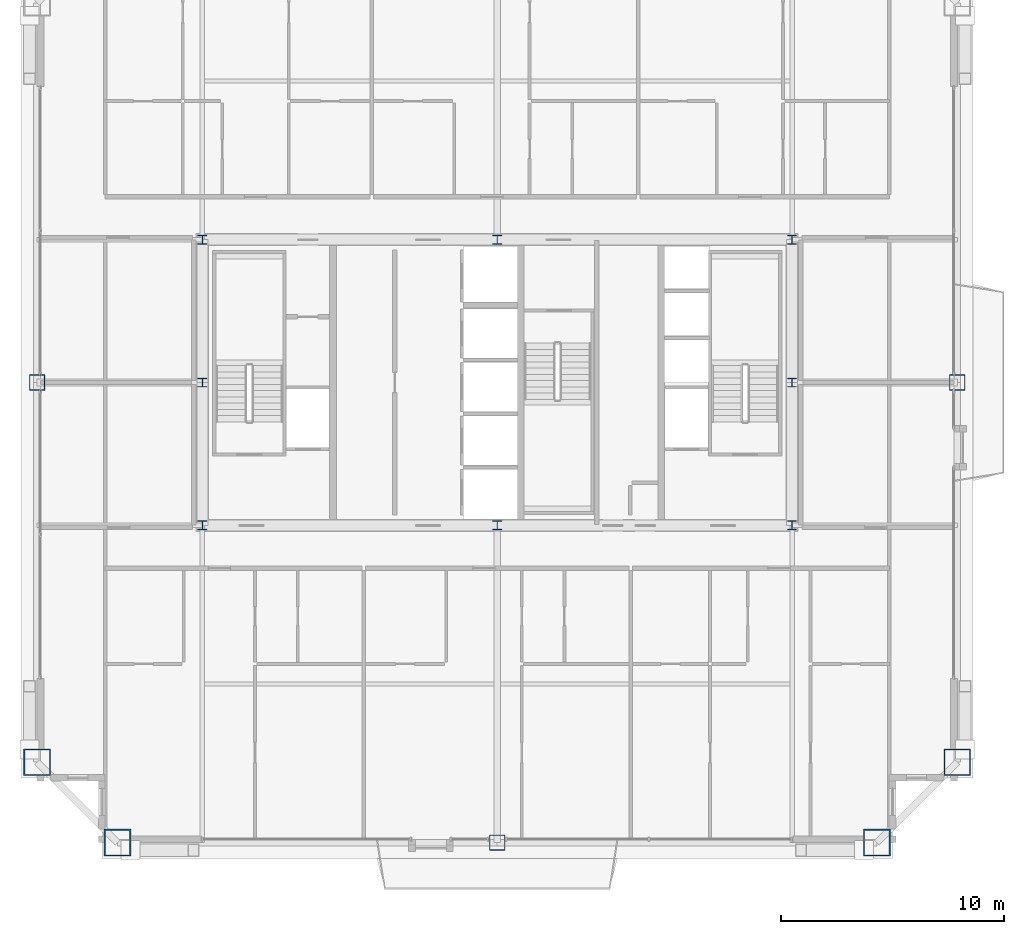
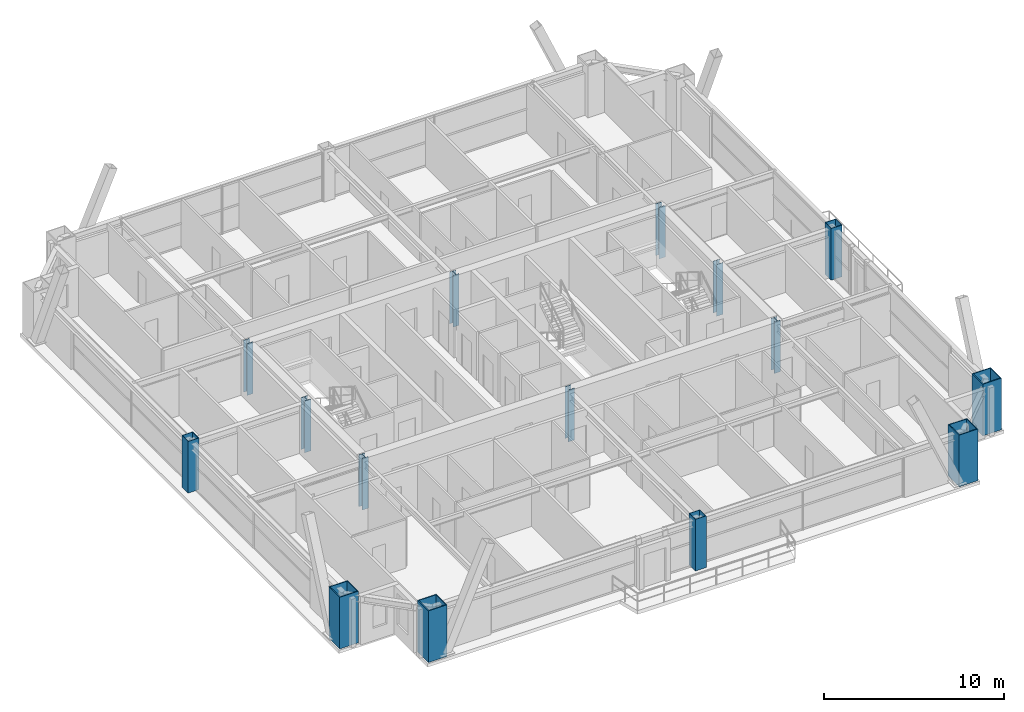
# One storey, part 1 of 35: 15 columns.
"""IFC4 building model written with IfcOpenShell, lengths in metres."""

from ifc_helpers import new_model, si_unit, direction, frame, origin, origin_2d, place, context, subcontext, project, spatial, hollow_rectangle, i_section, extrude, source, transform, mapped, material, material_profile, profile_set, type_object, element, save


model = new_model("IFC4")

# Units and contexts
model_context = context("Model", 3, precision=1e-05, world=origin(), true_north=direction((0.0, 1.0)))
body_context = subcontext(model_context, "Body", "Model", "MODEL_VIEW")
ifc_project = project(units=[si_unit("LENGTHUNIT", "METRE"), si_unit("AREAUNIT", "SQUARE_METRE"), si_unit("VOLUMEUNIT", "CUBIC_METRE"), si_unit("PLANEANGLEUNIT", "RADIAN"), si_unit("MASSUNIT", "GRAM", prefix="KILO"), si_unit("THERMODYNAMICTEMPERATUREUNIT", "KELVIN"), si_unit("POWERUNIT", "WATT")], contexts=[model_context])

# Site, building, storey
site_placement = place(None, origin())
site = spatial("IfcSite", under=ifc_project, at=site_placement, CompositionType="ELEMENT")
building_placement = place(site_placement, origin())
building = spatial("IfcBuilding", under=site, at=building_placement, Name="Yuzanri Waterfront Tower", CompositionType="ELEMENT")
storey_placement = place(building_placement, frame((0.0, 0.0, 248.60009765625)))
storey = spatial("IfcBuildingStorey", under=building, at=storey_placement, Name="L66", CompositionType="ELEMENT", Elevation=248.60009765625)

# Columns
ifc_material_1 = material(Name="Steel Q355B", Category="steel")
ifc_material_profile_1 = material_profile(ifc_material_1, i_section(OverallWidth=0.39990234375, OverallDepth=0.39990234375, WebThickness=0.012939453125, FlangeThickness=0.02099609375, at=origin_2d()), Name="HW 400x400x13x21")
ifc_profile_set_1 = profile_set([ifc_material_profile_1], Name="Steel Q355B")
column_type_1 = type_object("IfcColumnType", Name="Core Post Q355B HW 400x400x13x21", PredefinedType="COLUMN", material=ifc_profile_set_1)
shared_shape_1 = source(origin(), body_context, "Body", "SweptSolid", [
    extrude(i_section(OverallWidth=0.39990234375, OverallDepth=0.39990234375, WebThickness=0.012939453125, FlangeThickness=0.02099609375, at=origin_2d()), origin(), (0.0, 0.0, 1.0), 3.5),
])
for number, where, z_axis, x_axis, name in (
    (1, (23.800048828125, 19.39990234375, 0.0), (0.0, 0.0, 1.0), (1.0, 0.0, 0.0), "L66 Core Boundary Column CP1"),
    (2, (37.0, 19.39990234375, 0.0), (0.0, 0.0, 1.0), (1.0, 0.0, 0.0), "L66 Core Boundary Column CP2"),
    (3, (50.199951171875, 19.39990234375, 0.0), (0.0, 0.0, 1.0), (1.0, 0.0, 0.0), "L66 Core Boundary Column CP3"),
    (4, (23.800048828125, 25.800048828125, 0.0), (0.0, 0.0, 1.0), (1.0, 0.0, 0.0), "L66 Core Boundary Column CP4"),
    (5, (50.199951171875, 25.800048828125, 0.0), (0.0, 0.0, 1.0), (1.0, 0.0, 0.0), "L66 Core Boundary Column CP5"),
    (6, (23.800048828125, 32.199951171875, 0.0), (0.0, 0.0, 1.0), (1.0, 0.0, 0.0), "L66 Core Boundary Column CP6"),
    (7, (37.0, 32.199951171875, 0.0), (0.0, 0.0, 1.0), (1.0, 0.0, 0.0), "L66 Core Boundary Column CP7"),
    (8, (50.199951171875, 32.199951171875, 0.0), (0.0, 0.0, 1.0), (1.0, 0.0, 0.0), "L66 Core Boundary Column CP8"),
):
    element("IfcColumn", number, at=place(storey_placement, frame(where, z_axis=z_axis, x_axis=x_axis)), inside=storey, type_object=column_type_1, Name=name, PredefinedType="COLUMN", context=body_context, shape_type="MappedRepresentation", body=[
        mapped(shared_shape_1, transform((0.0, 0.0, 0.0), scale=1.0)),
    ])
ifc_material_2 = material(Name="Steel Q390GJC", Category="steel")
ifc_material_profile_2 = material_profile(ifc_material_2, hollow_rectangle(XDim=1.199951171875, YDim=1.199951171875, WallThickness=0.054931640625, at=origin_2d()), Name="RHS 1200x1200x55")
ifc_profile_set_2 = profile_set([ifc_material_profile_2], Name="Steel Q390GJC")
column_type_2 = type_object("IfcColumnType", Name="Mega Column Q390GJC RHS 1200x1200x55", PredefinedType="COLUMN", material=ifc_profile_set_2)
shared_shape_2 = source(origin(), body_context, "Body", "SweptSolid", [
    extrude(hollow_rectangle(XDim=1.199951171875, YDim=1.199951171875, WallThickness=0.054931640625, at=origin_2d()), origin(), (0.0, 0.0, 1.0), 3.5),
])
for number, where, z_axis, x_axis, name in (
    (9, (20.0, 5.199951171875, 0.0), (0.0, 0.0, 1.0), (1.0, 0.0, 0.0), "L66 Perimeter Mega Column S1"),
    (10, (54.0, 5.199951171875, 0.0), (0.0, 0.0, 1.0), (1.0, 0.0, 0.0), "L66 Perimeter Mega Column S3"),
    (11, (16.39990234375, 8.800048828125, 0.0), (0.0, 0.0, 1.0), (1.0, 0.0, 0.0), "L66 Perimeter Mega Column W1"),
    (12, (57.60009765625, 8.800048828125, 0.0), (0.0, 0.0, 1.0), (1.0, 0.0, 0.0), "L66 Perimeter Mega Column E1"),
):
    element("IfcColumn", number, at=place(storey_placement, frame(where, z_axis=z_axis, x_axis=x_axis)), inside=storey, type_object=column_type_2, Name=name, PredefinedType="COLUMN", context=body_context, shape_type="MappedRepresentation", body=[
        mapped(shared_shape_2, transform((0.0, 0.0, 0.0), scale=1.0)),
    ])
ifc_material_3 = material(Name="Steel Q355B", Category="steel")
ifc_material_profile_3 = material_profile(ifc_material_3, hollow_rectangle(XDim=0.699951171875, YDim=0.699951171875, WallThickness=0.031982421875, at=origin_2d()), Name="RHS 700x700x32")
ifc_profile_set_3 = profile_set([ifc_material_profile_3], Name="Steel Q355B")
column_type_3 = type_object("IfcColumnType", Name="Frame Column Q355B RHS 700x700x32", PredefinedType="COLUMN", material=ifc_profile_set_3)
shared_shape_3 = source(origin(), body_context, "Body", "SweptSolid", [
    extrude(hollow_rectangle(XDim=0.699951171875, YDim=0.699951171875, WallThickness=0.031982421875, at=origin_2d()), origin(), (0.0, 0.0, 1.0), 3.5),
])
for number, where, z_axis, x_axis, name in (
    (13, (37.0, 5.199951171875, 0.0), (0.0, 0.0, 1.0), (1.0, 0.0, 0.0), "L66 Perimeter Frame Column S2"),
    (14, (16.39990234375, 25.800048828125, 0.0), (0.0, 0.0, 1.0), (1.0, 0.0, 0.0), "L66 Perimeter Frame Column W2"),
    (15, (57.60009765625, 25.800048828125, 0.0), (0.0, 0.0, 1.0), (1.0, 0.0, 0.0), "L66 Perimeter Frame Column E2"),
):
    element("IfcColumn", number, at=place(storey_placement, frame(where, z_axis=z_axis, x_axis=x_axis)), inside=storey, type_object=column_type_3, Name=name, PredefinedType="COLUMN", context=body_context, shape_type="MappedRepresentation", body=[
        mapped(shared_shape_3, transform((0.0, 0.0, 0.0), scale=1.0)),
    ])

save(model, "model.ifc")
